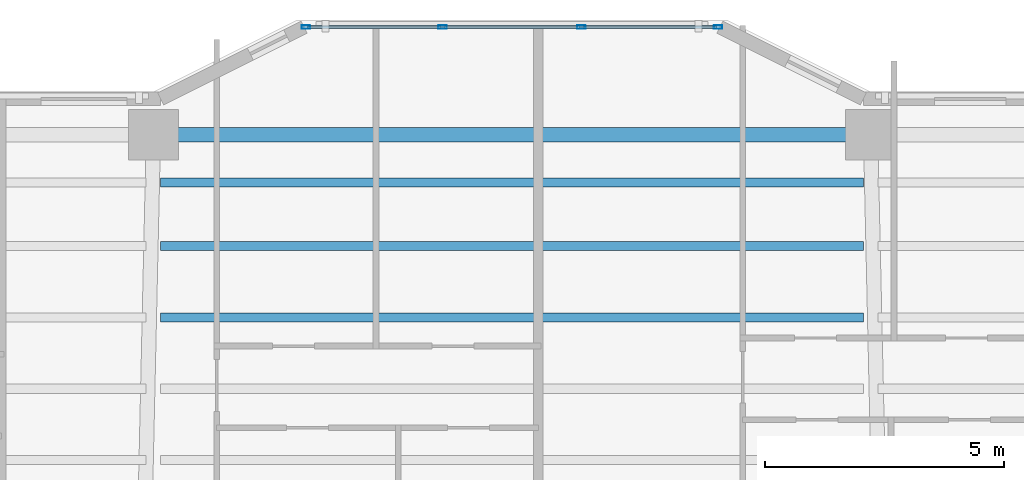
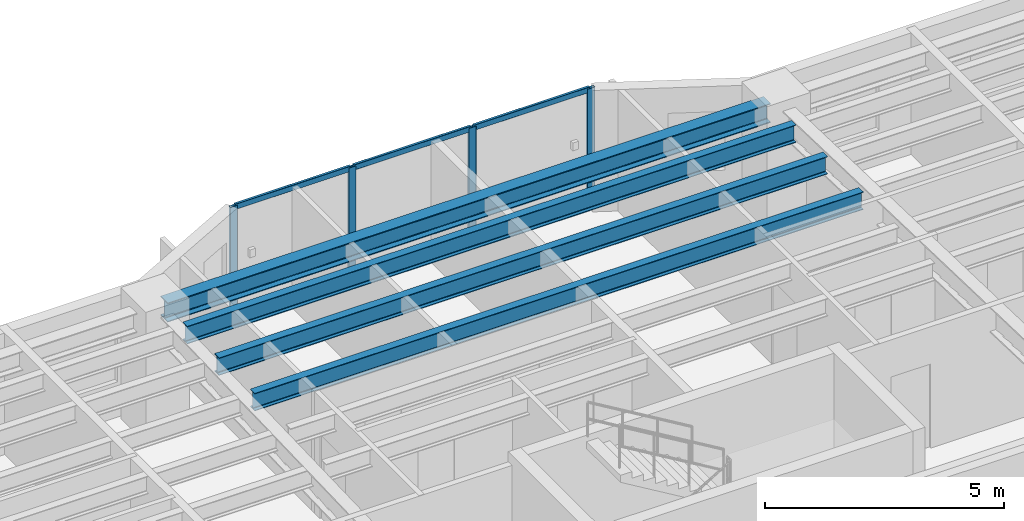
# One storey, part 4 of 19: 10 members, 4 beams, 1 element without a shape of its own.
"""IFC4 building model written with IfcOpenShell, lengths in metres."""

from ifc_helpers import new_model, si_unit, direction, frame, origin, origin_2d, place, context, subcontext, project, spatial, hollow_rectangle, i_section, extrude, material, layer, layer_set, material_profile, profile_set, type_object, element, aggregate, save


model = new_model("IFC4")

# Units and contexts
model_context = context("Model", 3, precision=1e-05, world=origin(), true_north=direction((0.0, 1.0)))
body_context = subcontext(model_context, "Body", "Model", "MODEL_VIEW")
ifc_project = project(units=[si_unit("LENGTHUNIT", "METRE"), si_unit("AREAUNIT", "SQUARE_METRE"), si_unit("VOLUMEUNIT", "CUBIC_METRE"), si_unit("PLANEANGLEUNIT", "RADIAN"), si_unit("MASSUNIT", "GRAM", prefix="KILO")], contexts=[model_context])

# Site, building, storey
site_placement = place(None, origin())
site = spatial("IfcSite", under=ifc_project, at=site_placement, CompositionType="ELEMENT")
building_placement = place(site_placement, origin())
building = spatial("IfcBuilding", under=site, at=building_placement, Name="Tarnavaz Court Tower", CompositionType="ELEMENT")
storey_placement = place(building_placement, frame((0.0, 0.0, 81.64990234375)))
storey = spatial("IfcBuildingStorey", under=building, at=storey_placement, Name="L21", CompositionType="ELEMENT", Elevation=81.64990234375)

# Beams
ifc_material_1 = material(Name="Steel S355", Category="steel")
ifc_material_profile_1 = material_profile(ifc_material_1, i_section(OverallWidth=0.18994140625, OverallDepth=0.449951171875, WebThickness=0.009521484375, FlangeThickness=0.0146484375, FilletRadius=0.02099609375, at=origin_2d()), Name="IPE 450")
ifc_profile_set_1 = profile_set([ifc_material_profile_1], Name="Steel S355")
beam_type_1 = type_object("IfcBeamType", Name="BM-J-IPE450", PredefinedType="JOIST", material=ifc_profile_set_1)
for number, where, z_axis, x_axis, name in (
    (1, (-7.35009765625, 17.48193359375, 2.875), (1.0, 0.0, 0.0), (0.0, 1.0, 0.0), "L21 Beam JN3-2"),
    (2, (-7.35009765625, 18.97607421875, 2.875), (1.0, 0.0, 0.0), (0.0, 1.0, 0.0), "L21 Beam JN4-2"),
    (3, (-7.35009765625, 20.303955078125, 2.875), (1.0, 0.0, 0.0), (0.0, 1.0, 0.0), "L21 Beam JN5-2"),
):
    element("IfcBeam", number, at=place(storey_placement, frame(where, z_axis=z_axis, x_axis=x_axis)), inside=storey, type_object=beam_type_1, Name=name, PredefinedType="JOIST", context=body_context, shape_type="SweptSolid", body=[
        extrude(i_section(OverallWidth=0.18994140625, OverallDepth=0.449951171875, WebThickness=0.009521484375, FlangeThickness=0.0146484375, FilletRadius=0.02099609375, at=origin_2d()), origin(), (0.0, 0.0, 1.0), 14.7001953125),
    ])
ifc_material_profile_2 = material_profile(ifc_material_1, i_section(OverallWidth=0.300048828125, OverallDepth=0.489990234375, WebThickness=0.011962890625, FlangeThickness=0.02294921875, FilletRadius=0.027099609375, at=origin_2d()), Name="HEA 500")
ifc_profile_set_2 = profile_set([ifc_material_profile_2], Name="Steel S355")
beam_type_2 = type_object("IfcBeamType", Name="BM-SP-HEA500", PredefinedType="SPANDREL", material=ifc_profile_set_2)
beam_placement = place(storey_placement, frame((-7.280029296875, 21.300048828125, 2.85498046875), z_axis=(1.0, 0.0, 0.0), x_axis=(0.0, 1.0, 0.0)))
element("IfcBeam", 4, at=beam_placement, inside=storey, type_object=beam_type_2, Name="L21 Beam PR-PN-2-PN-3", PredefinedType="SPANDREL", context=body_context, shape_type="SweptSolid", body=[
    extrude(i_section(OverallWidth=0.300048828125, OverallDepth=0.489990234375, WebThickness=0.011962890625, FlangeThickness=0.02294921875, FilletRadius=0.027099609375, at=origin_2d()), origin(), (0.0, 0.0, 1.0), 14.56005859375),
])

# Curtain wall, members
ifc_material_2 = material(Name="Anodised Aluminium 6063-T6 and Solar Low-E Glazing", Category="aluminium")
ifc_layer = layer(ifc_material_2, 0.179931640625)
ifc_layer_set = layer_set([ifc_layer], Name="Anodised Aluminium 6063-T6 and Solar Low-E Glazing")
curtain_wall_type = type_object("IfcCurtainWallType", Name="CW-SYS-02", PredefinedType="NOTDEFINED", material=ifc_layer_set)
curtain_wall_placement = place(storey_placement, origin())
curtain_wall = element("IfcCurtainWall", 5, at=curtain_wall_placement, inside=storey, type_object=curtain_wall_type, Name="L21 Iwan Prow Curtain Wall 7", PredefinedType="NOTDEFINED")
ifc_material_3 = material(Name="Anodised Aluminium 6063-T6", Category="aluminium")
ifc_material_profile_3 = material_profile(ifc_material_3, hollow_rectangle(XDim=0.074951171875, YDim=0.179931640625, WallThickness=0.0048828125, InnerFilletRadius=0.0048828125, OuterFilletRadius=0.010009765625, at=origin_2d()), Name="ALU RHS 180X75X5")
ifc_profile_set_3 = profile_set([ifc_material_profile_3], Name="Anodised Aluminium 6063-T6")
member_type_1 = type_object("IfcMemberType", Name="CW-MUL-180", PredefinedType="MULLION", material=ifc_profile_set_3)
member_1_placement = place(storey_placement, frame((-4.3125, 23.550048828125, 0.0), z_axis=(0.0, 0.0, 1.0), x_axis=(0.0, 1.0, 0.0)))
member_1 = element("IfcMember", 6, at=member_1_placement, type_object=member_type_1, Name="CW mullion 1", PredefinedType="MULLION", context=body_context, shape_type="SweptSolid", body=[
    extrude(hollow_rectangle(XDim=0.074951171875, YDim=0.179931640625, WallThickness=0.0048828125, InnerFilletRadius=0.0048828125, OuterFilletRadius=0.010009765625, at=origin_2d()), origin(), (0.0, 0.0, 1.0), 3.10009765625),
])
member_2_placement = place(storey_placement, frame((-1.449951171875, 23.550048828125, 0.0), z_axis=(0.0, 0.0, 1.0), x_axis=(0.0, 1.0, 0.0)))
member_2 = element("IfcMember", 7, at=member_2_placement, type_object=member_type_1, Name="CW mullion 2", PredefinedType="MULLION", context=body_context, shape_type="SweptSolid", body=[
    extrude(hollow_rectangle(XDim=0.074951171875, YDim=0.179931640625, WallThickness=0.0048828125, InnerFilletRadius=0.0048828125, OuterFilletRadius=0.010009765625, at=origin_2d()), origin(), (0.0, 0.0, 1.0), 3.10009765625),
])
member_3_placement = place(storey_placement, frame((1.449951171875, 23.550048828125, 0.0), z_axis=(0.0, 0.0, 1.0), x_axis=(0.0, 1.0, 0.0)))
member_3 = element("IfcMember", 8, at=member_3_placement, type_object=member_type_1, Name="CW mullion 3", PredefinedType="MULLION", context=body_context, shape_type="SweptSolid", body=[
    extrude(hollow_rectangle(XDim=0.074951171875, YDim=0.179931640625, WallThickness=0.0048828125, InnerFilletRadius=0.0048828125, OuterFilletRadius=0.010009765625, at=origin_2d()), origin(), (0.0, 0.0, 1.0), 3.10009765625),
])
member_4_placement = place(storey_placement, frame((4.3125, 23.550048828125, 0.0), z_axis=(0.0, 0.0, 1.0), x_axis=(0.0, 1.0, 0.0)))
member_4 = element("IfcMember", 9, at=member_4_placement, type_object=member_type_1, Name="CW mullion 4", PredefinedType="MULLION", context=body_context, shape_type="SweptSolid", body=[
    extrude(hollow_rectangle(XDim=0.074951171875, YDim=0.179931640625, WallThickness=0.0048828125, InnerFilletRadius=0.0048828125, OuterFilletRadius=0.010009765625, at=origin_2d()), origin(), (0.0, 0.0, 1.0), 3.10009765625),
])
ifc_material_profile_4 = material_profile(ifc_material_3, hollow_rectangle(XDim=0.06494140625, YDim=0.139892578125, WallThickness=0.00390625, InnerFilletRadius=0.00390625, OuterFilletRadius=0.008056640625, at=origin_2d()), Name="ALU RHS 140X65X4")
ifc_profile_set_4 = profile_set([ifc_material_profile_4], Name="Anodised Aluminium 6063-T6")
member_type_2 = type_object("IfcMemberType", Name="CW-TRN-140", PredefinedType="USERDEFINED", material=ifc_profile_set_4)
member_5_placement = place(storey_placement, frame((-4.27490234375, 23.550048828125, 0.03271484375), z_axis=(1.0, 0.0, 0.0), x_axis=(0.0, 1.0, 0.0)))
member_5 = element("IfcMember", 10, at=member_5_placement, type_object=member_type_2, Name="CW transom 1.1", ObjectType="TRANSOM", PredefinedType="USERDEFINED", context=body_context, shape_type="SweptSolid", body=[
    extrude(hollow_rectangle(XDim=0.06494140625, YDim=0.139892578125, WallThickness=0.00390625, InnerFilletRadius=0.00390625, OuterFilletRadius=0.008056640625, at=origin_2d()), origin(), (0.0, 0.0, 1.0), 2.787353515625),
])
member_6_placement = place(storey_placement, frame((-4.27490234375, 23.550048828125, 3.067626953125), z_axis=(1.0, 0.0, 0.0), x_axis=(0.0, 1.0, 0.0)))
member_6 = element("IfcMember", 11, at=member_6_placement, type_object=member_type_2, Name="CW transom 1.2", ObjectType="TRANSOM", PredefinedType="USERDEFINED", context=body_context, shape_type="SweptSolid", body=[
    extrude(hollow_rectangle(XDim=0.06494140625, YDim=0.139892578125, WallThickness=0.00390625, InnerFilletRadius=0.00390625, OuterFilletRadius=0.008056640625, at=origin_2d()), origin(), (0.0, 0.0, 1.0), 2.787353515625),
])
member_7_placement = place(storey_placement, frame((-1.41259765625, 23.550048828125, 0.03271484375), z_axis=(1.0, 0.0, 0.0), x_axis=(0.0, 1.0, 0.0)))
member_7 = element("IfcMember", 12, at=member_7_placement, type_object=member_type_2, Name="CW transom 2.1", ObjectType="TRANSOM", PredefinedType="USERDEFINED", context=body_context, shape_type="SweptSolid", body=[
    extrude(hollow_rectangle(XDim=0.06494140625, YDim=0.139892578125, WallThickness=0.00390625, InnerFilletRadius=0.00390625, OuterFilletRadius=0.008056640625, at=origin_2d()), origin(), (0.0, 0.0, 1.0), 2.8251953125),
])
member_8_placement = place(storey_placement, frame((-1.41259765625, 23.550048828125, 3.067626953125), z_axis=(1.0, 0.0, 0.0), x_axis=(0.0, 1.0, 0.0)))
member_8 = element("IfcMember", 13, at=member_8_placement, type_object=member_type_2, Name="CW transom 2.2", ObjectType="TRANSOM", PredefinedType="USERDEFINED", context=body_context, shape_type="SweptSolid", body=[
    extrude(hollow_rectangle(XDim=0.06494140625, YDim=0.139892578125, WallThickness=0.00390625, InnerFilletRadius=0.00390625, OuterFilletRadius=0.008056640625, at=origin_2d()), origin(), (0.0, 0.0, 1.0), 2.8251953125),
])
member_9_placement = place(storey_placement, frame((1.487548828125, 23.550048828125, 0.03271484375), z_axis=(1.0, 0.0, 0.0), x_axis=(0.0, 1.0, 0.0)))
member_9 = element("IfcMember", 14, at=member_9_placement, type_object=member_type_2, Name="CW transom 3.1", ObjectType="TRANSOM", PredefinedType="USERDEFINED", context=body_context, shape_type="SweptSolid", body=[
    extrude(hollow_rectangle(XDim=0.06494140625, YDim=0.139892578125, WallThickness=0.00390625, InnerFilletRadius=0.00390625, OuterFilletRadius=0.008056640625, at=origin_2d()), origin(), (0.0, 0.0, 1.0), 2.787353515625),
])
member_10_placement = place(storey_placement, frame((1.487548828125, 23.550048828125, 3.067626953125), z_axis=(1.0, 0.0, 0.0), x_axis=(0.0, 1.0, 0.0)))
member_10 = element("IfcMember", 15, at=member_10_placement, type_object=member_type_2, Name="CW transom 3.2", ObjectType="TRANSOM", PredefinedType="USERDEFINED", context=body_context, shape_type="SweptSolid", body=[
    extrude(hollow_rectangle(XDim=0.06494140625, YDim=0.139892578125, WallThickness=0.00390625, InnerFilletRadius=0.00390625, OuterFilletRadius=0.008056640625, at=origin_2d()), origin(), (0.0, 0.0, 1.0), 2.787353515625),
])
aggregate(curtain_wall, [member_1, member_2, member_3, member_4, member_5, member_6, member_7, member_8, member_9, member_10])

save(model, "model.ifc")
